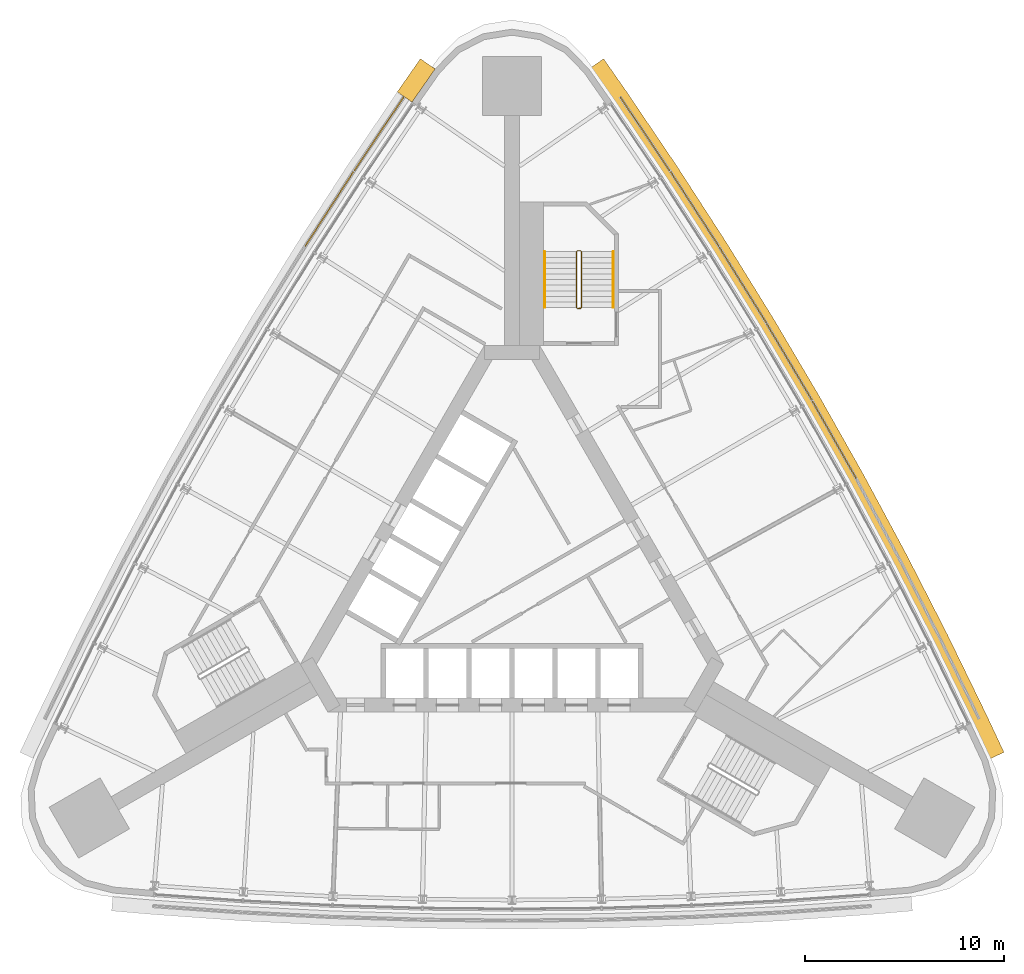
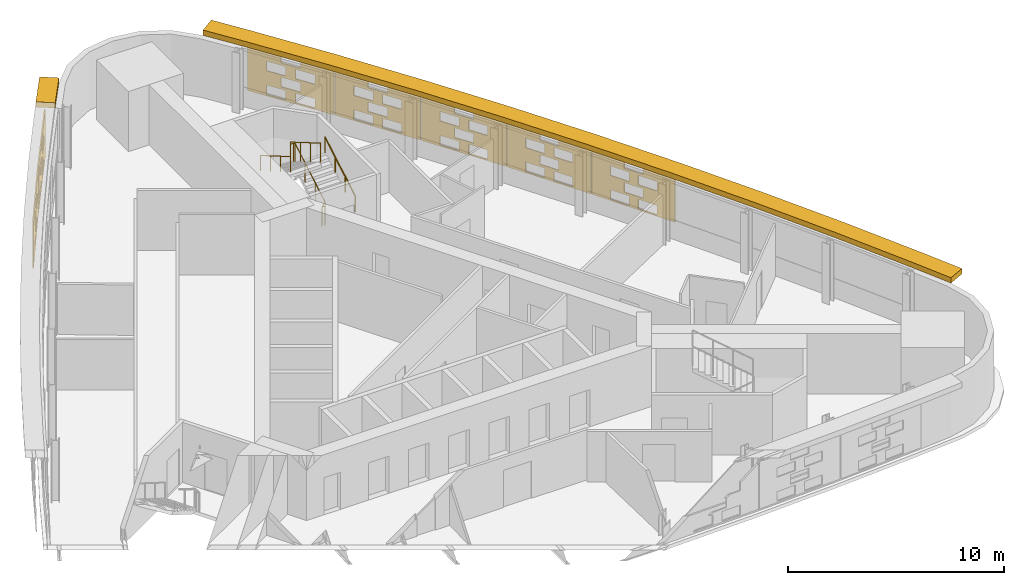
# One storey, part 11 of 11: 9 shading devices, 3 railings.
"""IFC4 building model written with IfcOpenShell, lengths in metres."""

from ifc_helpers import new_model, si_unit, direction, frame, origin, origin_2d, place, context, subcontext, project, spatial, polyline, circle, outline, extrude, material, material_profile, profile_set, type_object, element, save


model = new_model("IFC4")

# Units and contexts
model_context = context("Model", 3, precision=1e-05, world=origin(), true_north=direction((0.0, 1.0)))
body_context = subcontext(model_context, "Body", "Model", "MODEL_VIEW")
ifc_project = project(units=[si_unit("LENGTHUNIT", "METRE"), si_unit("AREAUNIT", "SQUARE_METRE"), si_unit("VOLUMEUNIT", "CUBIC_METRE"), si_unit("PLANEANGLEUNIT", "RADIAN"), si_unit("MASSUNIT", "GRAM", prefix="KILO")], contexts=[model_context])

# Site, building, storey
site_placement = place(None, origin())
site = spatial("IfcSite", under=ifc_project, at=site_placement, CompositionType="ELEMENT")
building_placement = place(site_placement, origin())
building = spatial("IfcBuilding", under=site, at=building_placement, Name="Noor Cloister Tower", CompositionType="ELEMENT")
storey_placement = place(building_placement, frame((0.0, 0.0, 116.699951171875)))
storey = spatial("IfcBuildingStorey", under=building, at=storey_placement, Name="L30", CompositionType="ELEMENT", Elevation=116.699951171875)

# Shading devices
ifc_material_1 = material(Name="Limestone", Category="masonry")
ifc_material_profile = material_profile(ifc_material_1, outline(polyline([(-2.22998046875, -1.35009765625), (2.22998046875, -1.35009765625), (2.22998046875, 1.35009765625), (-2.22998046875, 1.35009765625), (-2.22998046875, -1.35009765625)]), holes=[polyline([(-1.25, -1.282470703125), (-0.25, -1.282470703125), (-0.25, -0.742431640625), (-1.25, -0.742431640625), (-1.25, -1.282470703125)]), polyline([(0.25, -1.282470703125), (1.25, -1.282470703125), (1.25, -0.742431640625), (0.25, -0.742431640625), (0.25, -1.282470703125)]), polyline([(-0.5, -0.607421875), (0.5, -0.607421875), (0.5, -0.0673828125), (-0.5, -0.0673828125), (-0.5, -0.607421875)]), polyline([(-1.25, 0.0673828125), (-0.25, 0.0673828125), (-0.25, 0.607421875), (-1.25, 0.607421875), (-1.25, 0.0673828125)]), polyline([(0.25, 0.0673828125), (1.25, 0.0673828125), (1.25, 0.607421875), (0.25, 0.607421875), (0.25, 0.0673828125)]), polyline([(-0.5, 0.742431640625), (0.5, 0.742431640625), (0.5, 1.282470703125), (-0.5, 1.282470703125), (-0.5, 0.742431640625)])]), Name="Woven screen 30 percent open")
ifc_profile_set = profile_set([ifc_material_profile], Name="Limestone")
shading_device_type_1 = type_object("IfcShadingDeviceType", Name="SCREEN woven limestone 30 percent open", PredefinedType="USERDEFINED", material=ifc_profile_set)
shading_device_1_placement = place(storey_placement, frame((-6.645751953125, 22.044189453125, 1.85009765625), z_axis=(-0.830167318038, 0.557514326329, 0.0), x_axis=(-0.557514326329, -0.830167318038, 0.0)))
element("IfcShadingDevice", 1, at=shading_device_1_placement, inside=storey, type_object=shading_device_type_1, Name="SCREEN L30 1", ObjectType="SCREEN", PredefinedType="USERDEFINED", context=body_context, shape_type="SweptSolid", body=[
    extrude(outline(polyline([(-2.22998046875, -1.35009765625), (2.22998046875, -1.35009765625), (2.22998046875, 1.35009765625), (-2.22998046875, 1.35009765625), (-2.22998046875, -1.35009765625)]), holes=[polyline([(-1.25, -1.282470703125), (-0.25, -1.282470703125), (-0.25, -0.742431640625), (-1.25, -0.742431640625), (-1.25, -1.282470703125)]), polyline([(0.25, -1.282470703125), (1.25, -1.282470703125), (1.25, -0.742431640625), (0.25, -0.742431640625), (0.25, -1.282470703125)]), polyline([(-0.5, -0.607421875), (0.5, -0.607421875), (0.5, -0.0673828125), (-0.5, -0.0673828125), (-0.5, -0.607421875)]), polyline([(-1.25, 0.0673828125), (-0.25, 0.0673828125), (-0.25, 0.607421875), (-1.25, 0.607421875), (-1.25, 0.0673828125)]), polyline([(0.25, 0.0673828125), (1.25, 0.0673828125), (1.25, 0.607421875), (0.25, 0.607421875), (0.25, 0.0673828125)]), polyline([(-0.5, 0.742431640625), (0.5, 0.742431640625), (0.5, 1.282470703125), (-0.5, 1.282470703125), (-0.5, 0.742431640625)])]), origin(), (0.0, 0.0, 1.0), 0.06005859375),
])
shading_device_2_placement = place(storey_placement, frame((-9.133544921875, 18.28369140625, 1.85009765625), z_axis=(-0.839461337737, 0.543419416699, 0.0), x_axis=(-0.543419416699, -0.839461337737, 0.0)))
element("IfcShadingDevice", 2, at=shading_device_2_placement, inside=storey, type_object=shading_device_type_1, Name="SCREEN L30 2", ObjectType="SCREEN", PredefinedType="USERDEFINED", context=body_context, shape_type="SweptSolid", body=[
    extrude(outline(polyline([(-2.22998046875, -1.35009765625), (2.22998046875, -1.35009765625), (2.22998046875, 1.35009765625), (-2.22998046875, 1.35009765625), (-2.22998046875, -1.35009765625)]), holes=[polyline([(-1.25, -1.282470703125), (-0.25, -1.282470703125), (-0.25, -0.742431640625), (-1.25, -0.742431640625), (-1.25, -1.282470703125)]), polyline([(0.25, -1.282470703125), (1.25, -1.282470703125), (1.25, -0.742431640625), (0.25, -0.742431640625), (0.25, -1.282470703125)]), polyline([(-0.5, -0.607421875), (0.5, -0.607421875), (0.5, -0.0673828125), (-0.5, -0.0673828125), (-0.5, -0.607421875)]), polyline([(-1.25, 0.0673828125), (-0.25, 0.0673828125), (-0.25, 0.607421875), (-1.25, 0.607421875), (-1.25, 0.0673828125)]), polyline([(0.25, 0.0673828125), (1.25, 0.0673828125), (1.25, 0.607421875), (0.25, 0.607421875), (0.25, 0.0673828125)]), polyline([(-0.5, 0.742431640625), (0.5, 0.742431640625), (0.5, 1.282470703125), (-0.5, 1.282470703125), (-0.5, 0.742431640625)])]), origin(), (0.0, 0.0, 1.0), 0.060302734375),
])
shading_device_3_placement = place(storey_placement, frame((16.13232421875, 6.710693359375, 1.85009765625), z_axis=(0.87048706901, 0.492191286683, 0.0), x_axis=(-0.492191286683, 0.87048706901, 0.0)))
element("IfcShadingDevice", 3, at=shading_device_3_placement, inside=storey, type_object=shading_device_type_1, Name="SCREEN L30 4", ObjectType="SCREEN", PredefinedType="USERDEFINED", context=body_context, shape_type="SweptSolid", body=[
    extrude(outline(polyline([(-2.22998046875, -1.35009765625), (2.22998046875, -1.35009765625), (2.22998046875, 1.35009765625), (-2.22998046875, 1.35009765625), (-2.22998046875, -1.35009765625)]), holes=[polyline([(-1.25, -1.282470703125), (-0.25, -1.282470703125), (-0.25, -0.742431640625), (-1.25, -0.742431640625), (-1.25, -1.282470703125)]), polyline([(0.25, -1.282470703125), (1.25, -1.282470703125), (1.25, -0.742431640625), (0.25, -0.742431640625), (0.25, -1.282470703125)]), polyline([(-0.5, -0.607421875), (0.5, -0.607421875), (0.5, -0.0673828125), (-0.5, -0.0673828125), (-0.5, -0.607421875)]), polyline([(-1.25, 0.0673828125), (-0.25, 0.0673828125), (-0.25, 0.607421875), (-1.25, 0.607421875), (-1.25, 0.0673828125)]), polyline([(0.25, 0.0673828125), (1.25, 0.0673828125), (1.25, 0.607421875), (0.25, 0.607421875), (0.25, 0.0673828125)]), polyline([(-0.5, 0.742431640625), (0.5, 0.742431640625), (0.5, 1.282470703125), (-0.5, 1.282470703125), (-0.5, 0.742431640625)])]), origin(), (0.0, 0.0, 1.0), 0.06005859375),
])
shading_device_4_placement = place(storey_placement, frame((13.8779296875, 10.615478515625, 1.85009765625), z_axis=(0.860357760281, 0.50969061628, 0.0), x_axis=(-0.50969061628, 0.860357760281, 0.0)))
element("IfcShadingDevice", 4, at=shading_device_4_placement, inside=storey, type_object=shading_device_type_1, Name="SCREEN L30 5", ObjectType="SCREEN", PredefinedType="USERDEFINED", context=body_context, shape_type="SweptSolid", body=[
    extrude(outline(polyline([(-2.22998046875, -1.35009765625), (2.22998046875, -1.35009765625), (2.22998046875, 1.35009765625), (-2.22998046875, 1.35009765625), (-2.22998046875, -1.35009765625)]), holes=[polyline([(-1.25, -1.282470703125), (-0.25, -1.282470703125), (-0.25, -0.742431640625), (-1.25, -0.742431640625), (-1.25, -1.282470703125)]), polyline([(0.25, -1.282470703125), (1.25, -1.282470703125), (1.25, -0.742431640625), (0.25, -0.742431640625), (0.25, -1.282470703125)]), polyline([(-0.5, -0.607421875), (0.5, -0.607421875), (0.5, -0.0673828125), (-0.5, -0.0673828125), (-0.5, -0.607421875)]), polyline([(-1.25, 0.0673828125), (-0.25, 0.0673828125), (-0.25, 0.607421875), (-1.25, 0.607421875), (-1.25, 0.0673828125)]), polyline([(0.25, 0.0673828125), (1.25, 0.0673828125), (1.25, 0.607421875), (0.25, 0.607421875), (0.25, 0.0673828125)]), polyline([(-0.5, 0.742431640625), (0.5, 0.742431640625), (0.5, 1.282470703125), (-0.5, 1.282470703125), (-0.5, 0.742431640625)])]), origin(), (0.0, 0.0, 1.0), 0.059814453125),
])
shading_device_5_placement = place(storey_placement, frame((11.544677734375, 14.4736328125, 1.85009765625), z_axis=(0.849137590634, 0.528171707093, 0.0), x_axis=(-0.528171707093, 0.849137590634, 0.0)))
element("IfcShadingDevice", 5, at=shading_device_5_placement, inside=storey, type_object=shading_device_type_1, Name="SCREEN L30 6", ObjectType="SCREEN", PredefinedType="USERDEFINED", context=body_context, shape_type="SweptSolid", body=[
    extrude(outline(polyline([(-2.22998046875, -1.35009765625), (2.22998046875, -1.35009765625), (2.22998046875, 1.35009765625), (-2.22998046875, 1.35009765625), (-2.22998046875, -1.35009765625)]), holes=[polyline([(-1.25, -1.282470703125), (-0.25, -1.282470703125), (-0.25, -0.742431640625), (-1.25, -0.742431640625), (-1.25, -1.282470703125)]), polyline([(0.25, -1.282470703125), (1.25, -1.282470703125), (1.25, -0.742431640625), (0.25, -0.742431640625), (0.25, -1.282470703125)]), polyline([(-0.5, -0.607421875), (0.5, -0.607421875), (0.5, -0.0673828125), (-0.5, -0.0673828125), (-0.5, -0.607421875)]), polyline([(-1.25, 0.0673828125), (-0.25, 0.0673828125), (-0.25, 0.607421875), (-1.25, 0.607421875), (-1.25, 0.0673828125)]), polyline([(0.25, 0.0673828125), (1.25, 0.0673828125), (1.25, 0.607421875), (0.25, 0.607421875), (0.25, 0.0673828125)]), polyline([(-0.5, 0.742431640625), (0.5, 0.742431640625), (0.5, 1.282470703125), (-0.5, 1.282470703125), (-0.5, 0.742431640625)])]), origin(), (0.0, 0.0, 1.0), 0.06005859375),
])
shading_device_6_placement = place(storey_placement, frame((9.133544921875, 18.28369140625, 1.85009765625), z_axis=(0.839461337737, 0.543419416699, 0.0), x_axis=(-0.543419416699, 0.839461337737, 0.0)))
element("IfcShadingDevice", 6, at=shading_device_6_placement, inside=storey, type_object=shading_device_type_1, Name="SCREEN L30 7", ObjectType="SCREEN", PredefinedType="USERDEFINED", context=body_context, shape_type="SweptSolid", body=[
    extrude(outline(polyline([(-2.22998046875, -1.35009765625), (2.22998046875, -1.35009765625), (2.22998046875, 1.35009765625), (-2.22998046875, 1.35009765625), (-2.22998046875, -1.35009765625)]), holes=[polyline([(-1.25, -1.282470703125), (-0.25, -1.282470703125), (-0.25, -0.742431640625), (-1.25, -0.742431640625), (-1.25, -1.282470703125)]), polyline([(0.25, -1.282470703125), (1.25, -1.282470703125), (1.25, -0.742431640625), (0.25, -0.742431640625), (0.25, -1.282470703125)]), polyline([(-0.5, -0.607421875), (0.5, -0.607421875), (0.5, -0.0673828125), (-0.5, -0.0673828125), (-0.5, -0.607421875)]), polyline([(-1.25, 0.0673828125), (-0.25, 0.0673828125), (-0.25, 0.607421875), (-1.25, 0.607421875), (-1.25, 0.0673828125)]), polyline([(0.25, 0.0673828125), (1.25, 0.0673828125), (1.25, 0.607421875), (0.25, 0.607421875), (0.25, 0.0673828125)]), polyline([(-0.5, 0.742431640625), (0.5, 0.742431640625), (0.5, 1.282470703125), (-0.5, 1.282470703125), (-0.5, 0.742431640625)])]), origin(), (0.0, 0.0, 1.0), 0.060302734375),
])
shading_device_7_placement = place(storey_placement, frame((6.645751953125, 22.044189453125, 1.85009765625), z_axis=(0.830167318038, 0.557514326329, 0.0), x_axis=(-0.557514326329, 0.830167318038, 0.0)))
element("IfcShadingDevice", 7, at=shading_device_7_placement, inside=storey, type_object=shading_device_type_1, Name="SCREEN L30 8", ObjectType="SCREEN", PredefinedType="USERDEFINED", context=body_context, shape_type="SweptSolid", body=[
    extrude(outline(polyline([(-2.22998046875, -1.35009765625), (2.22998046875, -1.35009765625), (2.22998046875, 1.35009765625), (-2.22998046875, 1.35009765625), (-2.22998046875, -1.35009765625)]), holes=[polyline([(-1.25, -1.282470703125), (-0.25, -1.282470703125), (-0.25, -0.742431640625), (-1.25, -0.742431640625), (-1.25, -1.282470703125)]), polyline([(0.25, -1.282470703125), (1.25, -1.282470703125), (1.25, -0.742431640625), (0.25, -0.742431640625), (0.25, -1.282470703125)]), polyline([(-0.5, -0.607421875), (0.5, -0.607421875), (0.5, -0.0673828125), (-0.5, -0.0673828125), (-0.5, -0.607421875)]), polyline([(-1.25, 0.0673828125), (-0.25, 0.0673828125), (-0.25, 0.607421875), (-1.25, 0.607421875), (-1.25, 0.0673828125)]), polyline([(0.25, 0.0673828125), (1.25, 0.0673828125), (1.25, 0.607421875), (0.25, 0.607421875), (0.25, 0.0673828125)]), polyline([(-0.5, 0.742431640625), (0.5, 0.742431640625), (0.5, 1.282470703125), (-0.5, 1.282470703125), (-0.5, 0.742431640625)])]), origin(), (0.0, 0.0, 1.0), 0.06005859375),
])
ifc_material_2 = material(Name="Limestone", Category="masonry")
shading_device_type_2 = type_object("IfcShadingDeviceType", Name="SUNSHADE limestone band 900", PredefinedType="USERDEFINED", material=ifc_material_2)
shading_device_8_placement = place(storey_placement, frame((0.0, 0.0, 3.300048828125)))
element("IfcShadingDevice", 8, at=shading_device_8_placement, inside=storey, type_object=shading_device_type_2, Name="SUNSHADE L30 3", ObjectType="SUNSHADE", PredefinedType="USERDEFINED", context=body_context, shape_type="SweptSolid", body=[
    extrude(outline(polyline([(24.666748046875, -8.93994140625), (23.80517578125, -7.099365234375), (21.83056640625, -3.0380859375), (19.772705078125, 0.984130859375), (17.6337890625, 4.964111328125), (15.41455078125, 8.899658203125), (13.115966796875, 12.789306640625), (10.73876953125, 16.631591796875), (8.2841796875, 20.4248046875), (5.75439453125, 24.16552734375), (4.59130859375, 25.83203125), (3.853271484375, 25.31689453125), (5.0126953125, 23.65576171875), (7.533447265625, 19.92822265625), (9.978271484375, 16.150390625), (12.345703125, 12.323486328125), (14.635009765625, 8.449462890625), (16.845458984375, 4.52978515625), (18.9755859375, 0.566162109375), (21.025146484375, -3.43994140625), (22.992919921875, -7.48681640625), (23.851806640625, -9.321533203125), (24.666748046875, -8.93994140625)])), origin(), (0.0, 0.0, 1.0), 0.300048828125),
])
shading_device_9_placement = place(storey_placement, frame((0.0, 0.0, 3.300048828125)))
element("IfcShadingDevice", 9, at=shading_device_9_placement, inside=storey, type_object=shading_device_type_2, Name="SUNSHADE L30 4", ObjectType="SUNSHADE", PredefinedType="USERDEFINED", context=body_context, shape_type="SweptSolid", body=[
    extrude(outline(polyline([(-4.59130859375, 25.83203125), (-5.750732421875, 24.1708984375), (-5.0126953125, 23.65576171875), (-3.853271484375, 25.31689453125), (-4.59130859375, 25.83203125)])), origin(), (0.0, 0.0, 1.0), 0.300048828125),
])

# Railings
ifc_material_3 = material(Name="Stainless steel", Category="steel")
railing_type_1 = type_object("IfcRailingType", Name="Stair guard 1100", PredefinedType="GUARDRAIL", material=ifc_material_3)
railing_1_placement = place(storey_placement, frame((3.435546875, 13.306396484375, 0.0)))
element("IfcRailing", 10, at=railing_1_placement, inside=storey, type_object=railing_type_1, Name="Stair guard ST1 L30", PredefinedType="GUARDRAIL", context=body_context, shape_type="SweptSolid", body=[
    extrude(circle(Radius=0.02392578125, at=origin_2d()), frame((0.0, 0.0, 1.076171875), z_axis=(-1.0, 0.0, 0.0), x_axis=(0.0, -1.0, 0.0)), (0.0, 0.0, 1.0), 0.14990234375),
    extrude(circle(Radius=0.02392578125, at=origin_2d()), frame((-0.14990234375, 0.0, 1.076171875), z_axis=(0.759870394187, 0.190199549216, 0.621627795), x_axis=(-0.242814311512, 0.970072785993, 0.0)), (0.0, 0.0, 1.0), 0.26318359375),
    extrude(circle(Radius=0.02392578125, at=origin_2d()), frame((0.050048828125, 0.050048828125, 1.23974609375), z_axis=(0.0, 0.863360870873, 0.504586966384), x_axis=(-1.0, 0.0, 0.0)), (0.0, 0.0, 1.0), 3.2431640625),
    extrude(circle(Radius=0.02392578125, at=origin_2d()), frame((0.050048828125, 2.85009765625, 2.8759765625), z_axis=(-0.708833529934, 0.705375805398, 0.0), x_axis=(-0.705375805398, -0.708833529934, 0.0)), (0.0, 0.0, 1.0), 0.070556640625),
    extrude(circle(Radius=0.02392578125, at=origin_2d()), frame((0.0, 2.89990234375, 2.8759765625), z_axis=(-1.0, 0.0, 0.0), x_axis=(0.0, -1.0, 0.0)), (0.0, 0.0, 1.0), 0.14990234375),
    extrude(circle(Radius=0.02392578125, at=origin_2d()), frame((-0.14990234375, 2.89990234375, 2.8759765625), z_axis=(-0.280916556609, -0.279546231943, 0.91811752648), x_axis=(0.705375805398, -0.708833529934, 0.0)), (0.0, 0.0, 1.0), 0.17822265625),
    extrude(circle(Radius=0.02392578125, at=origin_2d()), frame((-0.199951171875, 2.85009765625, 3.03955078125), z_axis=(0.0, -0.863360870873, 0.504586966384), x_axis=(1.0, 0.0, 0.0)), (0.0, 0.0, 1.0), 3.2431640625),
    extrude(circle(Radius=0.02099609375, at=origin_2d()), origin(), (0.0, 0.0, 1.0), 1.052001953125),
    extrude(circle(Radius=0.02099609375, at=origin_2d()), frame((-0.14990234375, 0.0, 0.0)), (0.0, 0.0, 1.0), 1.052001953125),
    extrude(circle(Radius=0.02099609375, at=origin_2d()), frame((0.050048828125, 0.050048828125, 0.16357421875)), (0.0, 0.0, 1.0), 1.052001953125),
    extrude(circle(Radius=0.02099609375, at=origin_2d()), frame((0.050048828125, 0.9833984375, 0.708984375)), (0.0, 0.0, 1.0), 1.052001953125),
    extrude(circle(Radius=0.02099609375, at=origin_2d()), frame((0.050048828125, 1.916748046875, 1.254638671875)), (0.0, 0.0, 1.0), 1.052001953125),
    extrude(circle(Radius=0.02099609375, at=origin_2d()), frame((0.050048828125, 2.85009765625, 1.800048828125)), (0.0, 0.0, 1.0), 1.052001953125),
    extrude(circle(Radius=0.02099609375, at=origin_2d()), frame((0.0, 2.89990234375, 1.800048828125)), (0.0, 0.0, 1.0), 1.052001953125),
    extrude(circle(Radius=0.02099609375, at=origin_2d()), frame((-0.14990234375, 2.89990234375, 1.800048828125)), (0.0, 0.0, 1.0), 1.052001953125),
    extrude(circle(Radius=0.02099609375, at=origin_2d()), frame((-0.199951171875, 2.85009765625, 1.963623046875)), (0.0, 0.0, 1.0), 1.052001953125),
    extrude(circle(Radius=0.02099609375, at=origin_2d()), frame((-0.199951171875, 1.916748046875, 2.509033203125)), (0.0, 0.0, 1.0), 1.052001953125),
    extrude(circle(Radius=0.02099609375, at=origin_2d()), frame((-0.199951171875, 0.9833984375, 3.0546875)), (0.0, 0.0, 1.0), 1.052001953125),
    extrude(circle(Radius=0.02099609375, at=origin_2d()), frame((-0.199951171875, 0.050048828125, 3.60009765625)), (0.0, 0.0, 1.0), 1.052001953125),
])
ifc_material_4 = material(Name="Stainless steel", Category="steel")
railing_type_2 = type_object("IfcRailingType", Name="Stair handrail 900", PredefinedType="HANDRAIL", material=ifc_material_4)
railing_2_placement = place(storey_placement, frame((5.085693359375, 13.3564453125, 0.16357421875)))
element("IfcRailing", 11, at=railing_2_placement, inside=storey, type_object=railing_type_2, Name="Stair handrail ST1 L30 1", PredefinedType="HANDRAIL", context=body_context, shape_type="SweptSolid", body=[
    extrude(circle(Radius=0.02392578125, at=origin_2d()), frame((0.0, 0.0, 0.8759765625), z_axis=(0.0, 0.863360870873, 0.504586966384), x_axis=(-1.0, 0.0, 0.0)), (0.0, 0.0, 1.0), 3.2431640625),
    extrude(circle(Radius=0.02099609375, at=origin_2d()), origin(), (0.0, 0.0, 1.0), 0.851806640625),
    extrude(circle(Radius=0.02099609375, at=origin_2d()), frame((0.0, 0.933349609375, 0.54541015625)), (0.0, 0.0, 1.0), 0.851806640625),
    extrude(circle(Radius=0.02099609375, at=origin_2d()), frame((0.0, 1.86669921875, 1.091064453125)), (0.0, 0.0, 1.0), 0.851806640625),
    extrude(circle(Radius=0.02099609375, at=origin_2d()), frame((0.0, 2.800048828125, 1.636474609375)), (0.0, 0.0, 1.0), 0.851806640625),
])
railing_3_placement = place(storey_placement, frame((1.6357421875, 16.156494140625, 1.963623046875)))
element("IfcRailing", 12, at=railing_3_placement, inside=storey, type_object=railing_type_2, Name="Stair handrail ST1 L30 2", PredefinedType="HANDRAIL", context=body_context, shape_type="SweptSolid", body=[
    extrude(circle(Radius=0.02392578125, at=origin_2d()), frame((0.0, 0.0, 0.8759765625), z_axis=(0.0, -0.863360870873, 0.504586966384), x_axis=(1.0, 0.0, 0.0)), (0.0, 0.0, 1.0), 3.2431640625),
    extrude(circle(Radius=0.02099609375, at=origin_2d()), origin(), (0.0, 0.0, 1.0), 0.851806640625),
    extrude(circle(Radius=0.02099609375, at=origin_2d()), frame((0.0, -0.933349609375, 0.54541015625)), (0.0, 0.0, 1.0), 0.851806640625),
    extrude(circle(Radius=0.02099609375, at=origin_2d()), frame((0.0, -1.86669921875, 1.091064453125)), (0.0, 0.0, 1.0), 0.851806640625),
    extrude(circle(Radius=0.02099609375, at=origin_2d()), frame((0.0, -2.800048828125, 1.636474609375)), (0.0, 0.0, 1.0), 0.851806640625),
])

save(model, "model.ifc")
